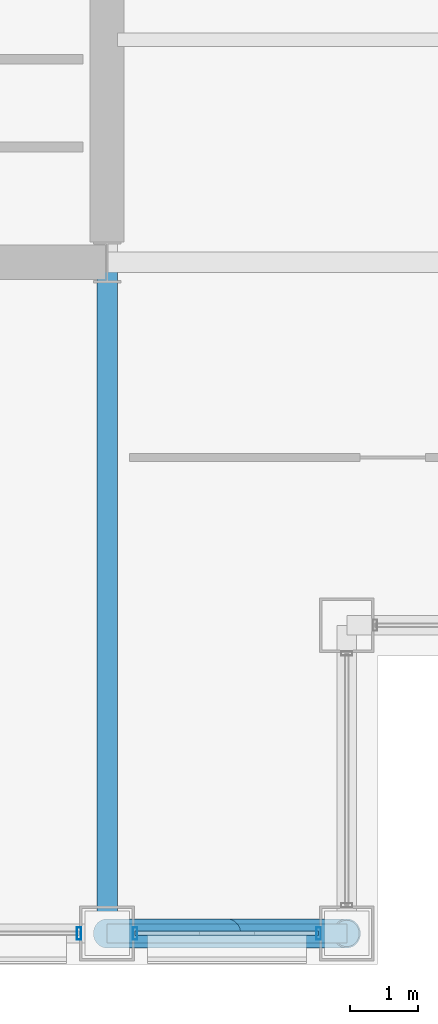
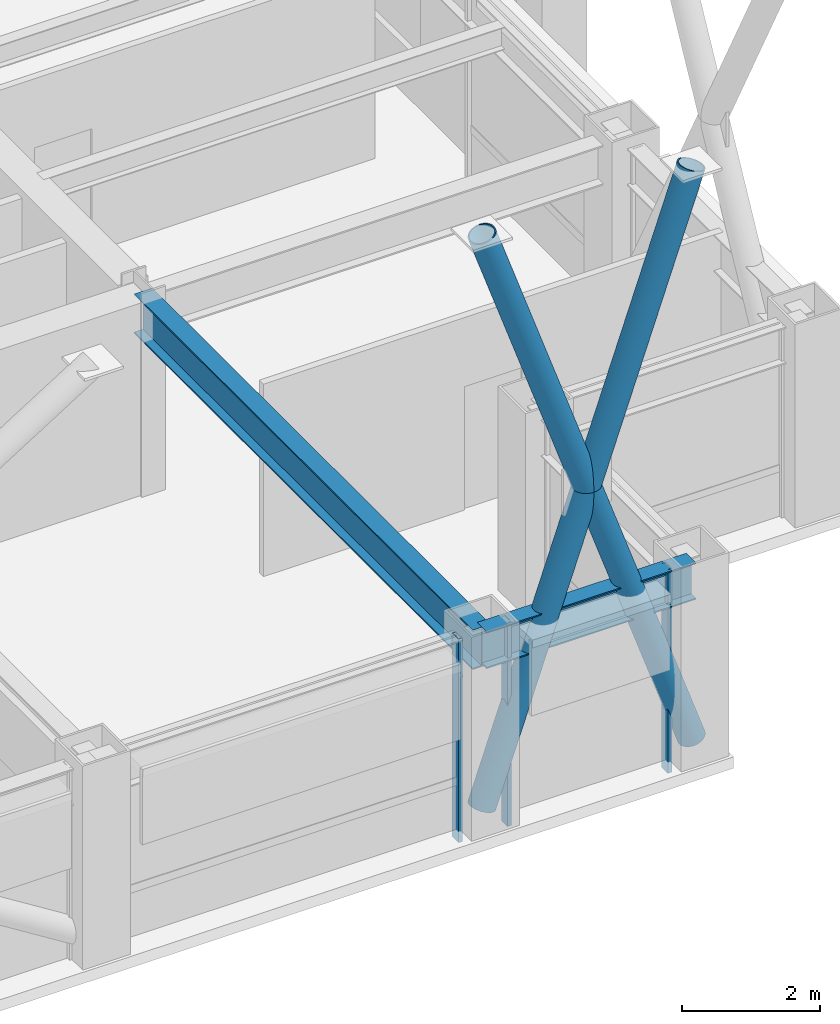
# One storey, part 12 of 35: 7 members, 2 beams, 2 elements without a shape of their own.
"""IFC4 building model written with IfcOpenShell, lengths in metres."""

from ifc_helpers import new_model, si_unit, direction, frame, origin, origin_2d, place, context, subcontext, project, spatial, hollow_rectangle, hollow_circle, i_section, extrude, material, layer, layer_set, material_profile, profile_set, type_object, element, aggregate, save


model = new_model("IFC4")

# Units and contexts
model_context = context("Model", 3, precision=1e-05, world=origin(), true_north=direction((0.0, 1.0)))
body_context = subcontext(model_context, "Body", "Model", "MODEL_VIEW")
ifc_project = project(units=[si_unit("LENGTHUNIT", "METRE"), si_unit("AREAUNIT", "SQUARE_METRE"), si_unit("VOLUMEUNIT", "CUBIC_METRE"), si_unit("PLANEANGLEUNIT", "RADIAN"), si_unit("MASSUNIT", "GRAM", prefix="KILO")], contexts=[model_context])

# Site, building, storey
site_placement = place(None, origin())
site = spatial("IfcSite", under=ifc_project, at=site_placement, CompositionType="ELEMENT")
building_placement = place(site_placement, origin())
building = spatial("IfcBuilding", under=site, at=building_placement, Name="Brelmoor Portico Tower", CompositionType="ELEMENT")
storey_placement = place(building_placement, frame((0.0, 0.0, 131.39990234375)))
storey = spatial("IfcBuildingStorey", under=building, at=storey_placement, Name="L34", CompositionType="ELEMENT", Elevation=131.39990234375)

# Beams
ifc_material_1 = material(Name="Steel Q355B", Category="steel")
ifc_material_profile_1 = material_profile(ifc_material_1, i_section(OverallWidth=0.300048828125, OverallDepth=0.699951171875, WebThickness=0.012939453125, FlangeThickness=0.02392578125, at=origin_2d()), Name="HN 700x300x13x24")
ifc_profile_set_1 = profile_set([ifc_material_profile_1], Name="Steel Q355B")
beam_type_1 = type_object("IfcBeamType", Name="BM-PG-700", PredefinedType="BEAM", material=ifc_profile_set_1)
beam_1_placement = place(storey_placement, frame((14.550048828125, -19.550048828125, 3.050048828125), z_axis=(0.0, 1.0, 0.0), x_axis=(-1.0, 0.0, 0.0)))
element("IfcBeam", 1, at=beam_1_placement, inside=storey, type_object=beam_type_1, Name="L34 Primary Floor Girder PG-10", PredefinedType="BEAM", context=body_context, shape_type="SweptSolid", body=[
    extrude(i_section(OverallWidth=0.300048828125, OverallDepth=0.699951171875, WebThickness=0.012939453125, FlangeThickness=0.02392578125, at=origin_2d()), origin(), (0.0, 0.0, 1.0), 9.800048828125),
])
ifc_material_profile_2 = material_profile(ifc_material_1, i_section(OverallWidth=0.280029296875, OverallDepth=0.64990234375, WebThickness=0.012939453125, FlangeThickness=0.02197265625, at=origin_2d()), Name="HN 650x280x13x22")
ifc_profile_set_2 = profile_set([ifc_material_profile_2], Name="Steel Q355B")
beam_type_2 = type_object("IfcBeamType", Name="BM-SP-650", PredefinedType="SPANDREL", material=ifc_profile_set_2)
beam_2_placement = place(storey_placement, frame((14.550048828125, -19.550048828125, 3.0751953125), z_axis=(1.0, 0.0, 0.0), x_axis=(0.0, 1.0, 0.0)))
element("IfcBeam", 2, at=beam_2_placement, inside=storey, type_object=beam_type_2, Name="L34 Perimeter Spandrel Beam SP-05", PredefinedType="SPANDREL", context=body_context, shape_type="SweptSolid", body=[
    extrude(i_section(OverallWidth=0.280029296875, OverallDepth=0.64990234375, WebThickness=0.012939453125, FlangeThickness=0.02197265625, at=origin_2d()), origin(), (0.0, 0.0, 1.0), 3.5),
])

# Members
ifc_material_profile_3 = material_profile(ifc_material_1, hollow_circle(Radius=0.212890625, WallThickness=0.02001953125, at=origin_2d()), Name="CHS 426x20")
ifc_profile_set_3 = profile_set([ifc_material_profile_3], Name="Steel Q355B")
member_type_1 = type_object("IfcMemberType", Name="MB-BELT-DIAG1", PredefinedType="BRACE", material=ifc_profile_set_3)
member_1_placement = place(storey_placement, frame((14.550048828125, -19.550048828125, 0.25), z_axis=(0.327429033028, 0.0, 0.94487577402), x_axis=(0.0, 1.0, 0.0)))
element("IfcMember", 3, at=member_1_placement, inside=storey, type_object=member_type_1, Name="L34 Continuous Mega-X Brace 076A", PredefinedType="BRACE", context=body_context, shape_type="SweptSolid", body=[
    extrude(hollow_circle(Radius=0.212890625, WallThickness=0.02001953125, at=origin_2d()), origin(), (0.0, 0.0, 1.0), 10.689453125),
])
for number, where, z_axis, x_axis, name in (
    (4, (18.050048828125, -19.550048828125, 0.25), (-0.327429033028, 0.0, 0.94487577402), (0.0, -1.0, 0.0), "L34 Split Mega-X Brace 076B1"),
    (5, (16.300048828125, -19.550048828125, 5.300048828125), (-0.327429033028, 0.0, 0.94487577402), (0.0, -1.0, 0.0), "L34 Split Mega-X Brace 076B2"),
):
    element("IfcMember", number, at=place(storey_placement, frame(where, z_axis=z_axis, x_axis=x_axis)), inside=storey, type_object=member_type_1, Name=name, PredefinedType="BRACE", context=body_context, shape_type="SweptSolid", body=[
        extrude(hollow_circle(Radius=0.212890625, WallThickness=0.02001953125, at=origin_2d()), origin(), (0.0, 0.0, 1.0), 5.3447265625),
    ])

# Curtain wall, member
ifc_material_2 = material(Name="Anodised Aluminium Alloy 6063-T6", Category="aluminium")
ifc_layer_1 = layer(ifc_material_2, 0.179931640625)
ifc_layer_set_1 = layer_set([ifc_layer_1], Name="Anodised Aluminium Alloy 6063-T6")
curtain_wall_type_1 = type_object("IfcCurtainWallType", Name="CW-TOWER-Z2", PredefinedType="NOTDEFINED", material=ifc_layer_set_1)
curtain_wall_1_placement = place(storey_placement, origin())
curtain_wall_1 = element("IfcCurtainWall", 6, at=curtain_wall_1_placement, inside=storey, type_object=curtain_wall_type_1, Name="L34 Curtain Wall CW-L34-01-4", PredefinedType="NOTDEFINED")
ifc_material_profile_4 = material_profile(ifc_material_2, hollow_rectangle(XDim=0.06494140625, YDim=0.179931640625, WallThickness=0.00390625, at=origin_2d()), Name="ALU MULLION 65x180")
ifc_profile_set_4 = profile_set([ifc_material_profile_4], Name="Anodised Aluminium Alloy 6063-T6")
member_type_2 = type_object("IfcMemberType", Name="MB-CW-MULL-180", PredefinedType="MULLION", material=ifc_profile_set_4)
member_2_placement = place(storey_placement, frame((14.139892578125, -19.550048828125, -0.199951171875), z_axis=(0.0, 0.0, 1.0), x_axis=(1.0, 0.0, 0.0)))
member_2 = element("IfcMember", 7, at=member_2_placement, type_object=member_type_2, Name="CW-L34-01-4 Mullion 01", PredefinedType="MULLION", context=body_context, shape_type="SweptSolid", body=[
    extrude(hollow_rectangle(XDim=0.06494140625, YDim=0.179931640625, WallThickness=0.00390625, at=origin_2d()), origin(), (0.0, 0.0, 1.0), 3.60009765625),
])
aggregate(curtain_wall_1, [member_2])

# Curtain wall, members
ifc_layer_2 = layer(ifc_material_2, 0.179931640625)
ifc_layer_set_2 = layer_set([ifc_layer_2], Name="Anodised Aluminium Alloy 6063-T6")
curtain_wall_type_2 = type_object("IfcCurtainWallType", Name="CW-TOWER-Z2-XB", PredefinedType="NOTDEFINED", material=ifc_layer_set_2)
curtain_wall_2_placement = place(storey_placement, origin())
curtain_wall_2 = element("IfcCurtainWall", 8, at=curtain_wall_2_placement, inside=storey, type_object=curtain_wall_type_2, Name="L34 Curtain Wall CW-L34-01-5", PredefinedType="NOTDEFINED")
member_3_placement = place(storey_placement, frame((14.9599609375, -19.550048828125, -0.199951171875), z_axis=(0.0, 0.0, 1.0), x_axis=(1.0, 0.0, 0.0)))
member_3 = element("IfcMember", 9, at=member_3_placement, type_object=member_type_2, Name="CW-L34-01-5 Mullion 00", PredefinedType="MULLION", context=body_context, shape_type="SweptSolid", body=[
    extrude(hollow_rectangle(XDim=0.06494140625, YDim=0.179931640625, WallThickness=0.00390625, at=origin_2d()), origin(), (0.0, 0.0, 1.0), 3.60009765625),
])
member_4_placement = place(storey_placement, frame((17.639892578125, -19.550048828125, -0.199951171875), z_axis=(0.0, 0.0, 1.0), x_axis=(1.0, 0.0, 0.0)))
member_4 = element("IfcMember", 10, at=member_4_placement, type_object=member_type_2, Name="CW-L34-01-5 Mullion 01", PredefinedType="MULLION", context=body_context, shape_type="SweptSolid", body=[
    extrude(hollow_rectangle(XDim=0.06494140625, YDim=0.179931640625, WallThickness=0.00390625, at=origin_2d()), origin(), (0.0, 0.0, 1.0), 3.60009765625),
])
ifc_material_profile_5 = material_profile(ifc_material_2, hollow_rectangle(XDim=0.06494140625, YDim=0.139892578125, WallThickness=0.00390625, at=origin_2d()), Name="ALU TRANSOM 65x140")
ifc_profile_set_5 = profile_set([ifc_material_profile_5], Name="Anodised Aluminium Alloy 6063-T6")
member_type_3 = type_object("IfcMemberType", Name="MB-CW-TRAN-140", PredefinedType="USERDEFINED", material=ifc_profile_set_5)
member_5_placement = place(storey_placement, frame((14.9599609375, -19.550048828125, 3.330078125), z_axis=(1.0, 0.0, 0.0), x_axis=(0.0, 1.0, 0.0)))
member_5 = element("IfcMember", 11, at=member_5_placement, type_object=member_type_3, Name="CW-L34-01-5 Transom 1-00", ObjectType="TRANSOM", PredefinedType="USERDEFINED", context=body_context, shape_type="SweptSolid", body=[
    extrude(hollow_rectangle(XDim=0.06494140625, YDim=0.139892578125, WallThickness=0.00390625, at=origin_2d()), origin(), (0.0, 0.0, 1.0), 2.679931640625),
])
aggregate(curtain_wall_2, [member_3, member_4, member_5])

save(model, "model.ifc")
